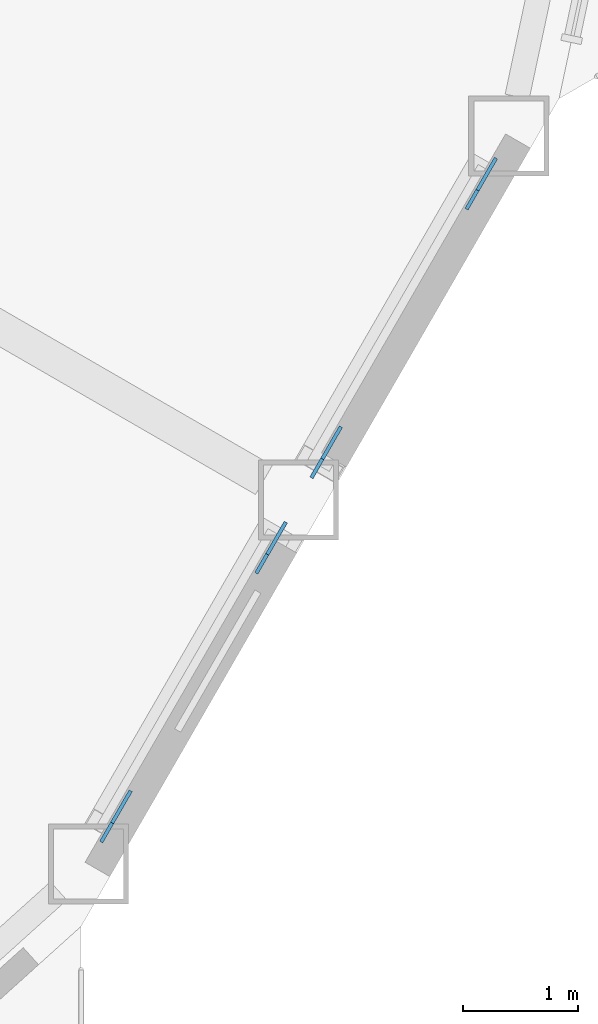
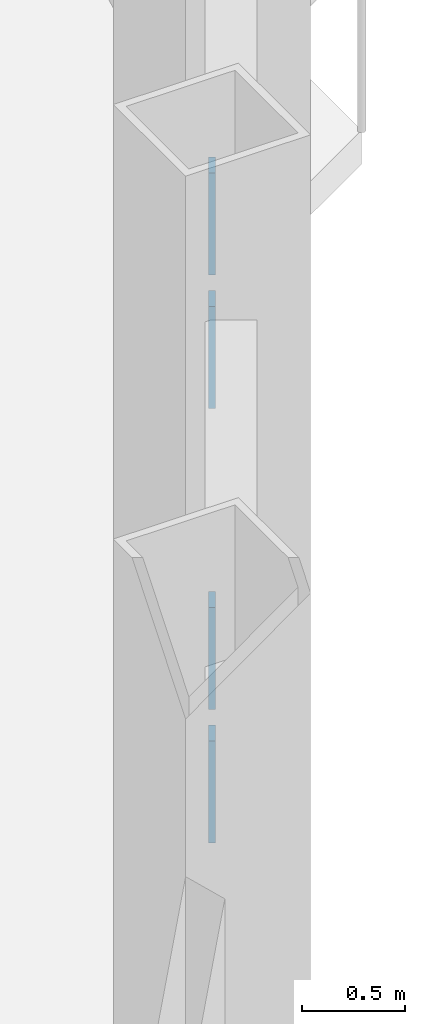
# One storey, part 17 of 23: 4 discrete accessories.
"""IFC4 building model written with IfcOpenShell, lengths in metres."""

from ifc_helpers import new_model, si_unit, direction, frame, origin, origin_2d, place, context, subcontext, project, spatial, rectangle, extrude, material, material_profile, profile_set, type_object, element, save


model = new_model("IFC4")

# Units and contexts
model_context = context("Model", 3, precision=1e-05, world=origin(), true_north=direction((0.0, 1.0)))
body_context = subcontext(model_context, "Body", "Model", "MODEL_VIEW")
ifc_project = project(units=[si_unit("LENGTHUNIT", "METRE"), si_unit("AREAUNIT", "SQUARE_METRE"), si_unit("VOLUMEUNIT", "CUBIC_METRE"), si_unit("PLANEANGLEUNIT", "RADIAN"), si_unit("MASSUNIT", "GRAM", prefix="KILO")], contexts=[model_context])

# Site, building, storey
site_placement = place(None, origin())
site = spatial("IfcSite", under=ifc_project, at=site_placement, CompositionType="ELEMENT")
building_placement = place(site_placement, origin())
building = spatial("IfcBuilding", under=site, at=building_placement, Name="Cormorant Prow Tower", CompositionType="ELEMENT")
storey_placement = place(building_placement, frame((0.0, 0.0, 245.39990234375)))
storey = spatial("IfcBuildingStorey", under=building, at=storey_placement, Name="L54", CompositionType="ELEMENT", Elevation=245.39990234375)

# Discrete accessories
ifc_material = material(Name="Structural steel ASTM A500 Gr C", Category="steel")
ifc_material_profile = material_profile(ifc_material, rectangle(XDim=0.031982421875, YDim=0.506103515625, at=origin_2d()), Name="Gusset plate 32x506")
ifc_profile_set = profile_set([ifc_material_profile], Name="Structural steel ASTM A500 Gr C")
discrete_accessory_type = type_object("IfcDiscreteAccessoryType", Name="Gusset plate 32x506", PredefinedType="BRACKET", material=ifc_profile_set)
discrete_accessory_1_placement = place(storey_placement, frame((27.454833984375, -16.59375, 0.863037109375), z_axis=(0.46266066689, 0.801805590131, -0.37822335061), x_axis=(-0.866147934042, 0.499787711288, 0.0)))
element("IfcDiscreteAccessory", 1, at=discrete_accessory_1_placement, inside=storey, type_object=discrete_accessory_type, Name="Gusset plate GP2 L54.ESE00.g0", PredefinedType="BRACKET", context=body_context, shape_type="SweptSolid", body=[
    extrude(rectangle(XDim=0.031982421875, YDim=0.506103515625, at=origin_2d()), origin(), (0.0, 0.0, 1.0), 0.349853515625),
])
discrete_accessory_2_placement = place(storey_placement, frame((26.262939453125, -18.658203125, 1.837890625), z_axis=(-0.462827914709, -0.801584490837, 0.378487285673), x_axis=(0.866010015463, -0.500026652407, 0.0)))
element("IfcDiscreteAccessory", 2, at=discrete_accessory_2_placement, inside=storey, type_object=discrete_accessory_type, Name="Gusset plate GP2 L54.ESE00.g1", PredefinedType="BRACKET", context=body_context, shape_type="SweptSolid", body=[
    extrude(rectangle(XDim=0.031982421875, YDim=0.506103515625, at=origin_2d()), origin(), (0.0, 0.0, 1.0), 0.350341796875),
])
discrete_accessory_3_placement = place(storey_placement, frame((29.2900390625, -13.4150390625, 0.863037109375), z_axis=(0.46266066689, 0.801805590131, -0.37822335061), x_axis=(-0.866147934042, 0.499787711288, 0.0)))
element("IfcDiscreteAccessory", 3, at=discrete_accessory_3_placement, inside=storey, type_object=discrete_accessory_type, Name="Gusset plate GP2 L54.ESE01.g0", PredefinedType="BRACKET", context=body_context, shape_type="SweptSolid", body=[
    extrude(rectangle(XDim=0.031982421875, YDim=0.506103515625, at=origin_2d()), origin(), (0.0, 0.0, 1.0), 0.349853515625),
])
discrete_accessory_4_placement = place(storey_placement, frame((28.09814453125, -15.4794921875, 1.837890625), z_axis=(-0.462827914709, -0.801584490837, 0.378487285673), x_axis=(0.866010015463, -0.500026652407, 0.0)))
element("IfcDiscreteAccessory", 4, at=discrete_accessory_4_placement, inside=storey, type_object=discrete_accessory_type, Name="Gusset plate GP2 L54.ESE01.g1", PredefinedType="BRACKET", context=body_context, shape_type="SweptSolid", body=[
    extrude(rectangle(XDim=0.031982421875, YDim=0.506103515625, at=origin_2d()), origin(), (0.0, 0.0, 1.0), 0.350341796875),
])

save(model, "model.ifc")
